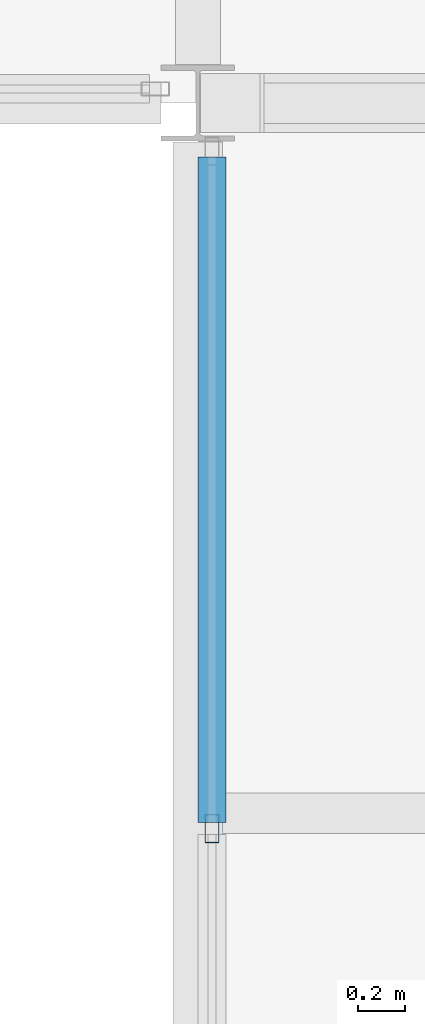
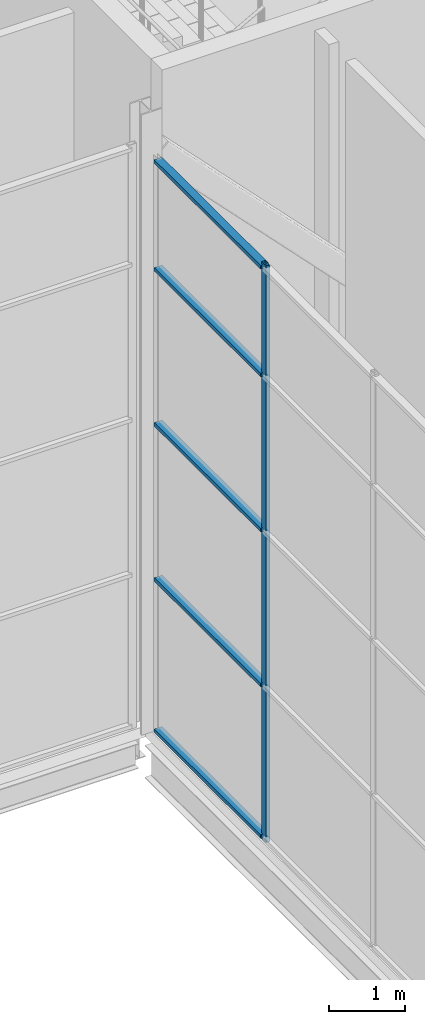
# One storey, part 58 of 111: 6 members, 1 element without a shape of its own.
"""IFC4 building model written with IfcOpenShell, lengths in metres."""

import ifcopenshell
import ifcopenshell.guid

model = None  # the IFC model being written
_history = None  # IfcOwnerHistory: only IFC2X3 demands one
_inside = {}  # id of a spatial element -> (the spatial element, [elements in it])
_under = {}  # id of a project, library or spatial element -> (it, [spatial elements below it])
_declared = {}  # id of a project -> (the project, [libraries it declares])
_typed = {}  # id of a type object -> (the type object, [elements of that type])
_made_of = {}  # id of a material, layer set ... -> (it, [elements and type objects made of it])


def new_model(schema):
    """Start an empty IFC model of exactly this schema.

    Asked for "IFC4X3", IfcOpenShell would pick the latest addendum, in which some entities
    have other attributes; the version numbers below select the first issue.
    IFC2X3 requires an IfcOwnerHistory on every rooted entity: one is made here for all.
    """
    global model, _history
    if schema == "IFC4X3":
        model = ifcopenshell.file(schema_version=(4, 3, 0, 0))
    else:
        model = ifcopenshell.file(schema=schema)
    _inside.clear()
    _under.clear()
    _declared.clear()
    _typed.clear()
    _made_of.clear()
    _history = None
    if model.schema == "IFC2X3":
        org = make("IfcOrganization", Name="unknown")
        user = make(
            "IfcPersonAndOrganization",
            ThePerson=make("IfcPerson", FamilyName="unknown"),
            TheOrganization=org,
        )
        app = make(
            "IfcApplication",
            ApplicationDeveloper=org,
            Version="unknown",
            ApplicationFullName="unknown",
            ApplicationIdentifier="unknown",
        )
        _history = make(
            "IfcOwnerHistory",
            OwningUser=user,
            OwningApplication=app,
            ChangeAction="ADDED",
            CreationDate=0,
        )
    return model


def make(cls, **values):
    """One entity of the class cls with the attributes given. An attribute that is None is left unset."""
    return model.create_entity(
        cls, **{name: value for name, value in values.items() if value is not None}
    )


def rooted(cls, **values):
    """An entity with a GlobalId (a new one), such as an element, a storey or a relation."""
    return make(cls, GlobalId=ifcopenshell.guid.new(), OwnerHistory=_history, **values)


def si_unit(unit_type, name, prefix=None):
    """IfcSIUnit, for example si_unit("LENGTHUNIT", "METRE", prefix="MILLI")."""
    return make("IfcSIUnit", UnitType=unit_type, Prefix=prefix, Name=name)


def assignment(units):
    """IfcUnitAssignment: the units of a project."""
    return None if units is None else make("IfcUnitAssignment", Units=units)


def point(xyz):
    """IfcCartesianPoint."""
    return None if xyz is None else make("IfcCartesianPoint", Coordinates=xyz)


def direction(xyz):
    """IfcDirection."""
    return None if xyz is None else make("IfcDirection", DirectionRatios=xyz)


def frame(location, z_axis=None, x_axis=None):
    """IfcAxis2Placement3D, a coordinate frame: its origin and axes. An axis left out is left unset."""
    return make(
        "IfcAxis2Placement3D",
        Location=point(location),
        Axis=direction(z_axis),
        RefDirection=direction(x_axis),
    )


def frame_2d(location, x_axis=None):
    """IfcAxis2Placement2D, a coordinate frame in the plane: its origin and x axis."""
    return make(
        "IfcAxis2Placement2D", Location=point(location), RefDirection=direction(x_axis)
    )


def origin():
    """The frame at (0, 0, 0) with its axes left unset."""
    return frame((0.0, 0.0, 0.0))


def origin_2d():
    """The frame at (0, 0) in the plane with its x axis left unset."""
    return frame_2d((0.0, 0.0))


def place(relative_to, where):
    """IfcLocalPlacement: puts the frame where relative to a parent placement (None: the world)."""
    return make(
        "IfcLocalPlacement", PlacementRelTo=relative_to, RelativePlacement=where
    )


def context(
    kind, dimensions, precision=None, world=None, true_north=None, identifier=None
):
    """IfcGeometricRepresentationContext, for example the 3D "Model" context."""
    return make(
        "IfcGeometricRepresentationContext",
        ContextIdentifier=identifier,
        ContextType=kind,
        CoordinateSpaceDimension=dimensions,
        Precision=precision,
        WorldCoordinateSystem=world,
        TrueNorth=true_north,
    )


def subcontext(parent, identifier, kind, view, scale=None):
    """IfcGeometricRepresentationSubContext, for example "Body" below "Model"."""
    return make(
        "IfcGeometricRepresentationSubContext",
        ContextIdentifier=identifier,
        ContextType=kind,
        ParentContext=parent,
        TargetScale=scale,
        TargetView=view,
    )


def project(units=None, contexts=None):
    """IfcProject with its units and contexts."""
    return rooted(
        "IfcProject",
        Name="project",
        RepresentationContexts=contexts,
        UnitsInContext=assignment(units),
    )


def spatial(cls, under=None, at=None, **own):
    """A site, building, storey or space (cls), placed at a placement, below another one or the project."""
    s = rooted(cls, ObjectPlacement=at, **own)
    if under is not None:
        _under.setdefault(under.id(), (under, []))[1].append(s)
    return s


def profile(cls, at=None, kind="AREA", **sizes):
    """A parametric profile (cls). Its sizes go by their IFC names, for example OverallWidth=200.0."""
    return make(cls, ProfileType=kind, Position=at, **sizes)


def hollow_rectangle(**sizes):
    """IfcRectangleHollowProfileDef."""
    return profile("IfcRectangleHollowProfileDef", **sizes)


def extrude(swept, where, along, depth):
    """IfcExtrudedAreaSolid: the profile swept, set in the frame where, extruded along a direction by depth."""
    return make(
        "IfcExtrudedAreaSolid",
        SweptArea=swept,
        Position=where,
        ExtrudedDirection=direction(along),
        Depth=depth,
    )


def shape(context_of_items, identifier, shape_type, items):
    """IfcShapeRepresentation: the items that make up one representation, for example the "Body"."""
    return make(
        "IfcShapeRepresentation",
        ContextOfItems=context_of_items,
        RepresentationIdentifier=identifier,
        RepresentationType=shape_type,
        Items=items,
    )


def material(Name=None, Category=None):
    """IfcMaterial."""
    return make("IfcMaterial", Name=Name, Category=Category)


def layer(
    of_material, thickness, ventilated=None, Name=None, Category=None, Priority=None
):
    """IfcMaterialLayer: one layer of a wall or slab, of a material (None: an air gap)."""
    return make(
        "IfcMaterialLayer",
        Material=of_material,
        LayerThickness=thickness,
        IsVentilated=ventilated,
        Name=Name,
        Category=Category,
        Priority=Priority,
    )


def layer_set(layers, Name=None):
    """IfcMaterialLayerSet."""
    return make("IfcMaterialLayerSet", MaterialLayers=layers, LayerSetName=Name)


def material_profile(
    of_material, cross_section, Name=None, Category=None, Priority=None
):
    """IfcMaterialProfile: a cross section and its material."""
    return make(
        "IfcMaterialProfile",
        Name=Name,
        Material=of_material,
        Profile=cross_section,
        Priority=Priority,
        Category=Category,
    )


def profile_set(profiles, Name=None, composite=None):
    """IfcMaterialProfileSet."""
    return make(
        "IfcMaterialProfileSet",
        Name=Name,
        MaterialProfiles=profiles,
        CompositeProfile=composite,
    )


def made_of(thing, what):
    """Note that an element or type object is made of a material, layer set ...; save() writes the relation."""
    if what is not None:
        _made_of.setdefault(what.id(), (what, []))[1].append(thing)
    return thing


def type_object(cls, material=None, **own):
    """A type object (cls), such as IfcWallType, which elements share."""
    return made_of(rooted(cls, **own), material)


def element(
    cls,
    number,
    at=None,
    inside=None,
    cuts=None,
    type_object=None,
    material=None,
    context=None,
    identifier="Body",
    shape_type=None,
    held_by="IfcProductDefinitionShape",
    body=None,
    shapes=None,
    **own,
):
    """One element of the class cls, such as IfcWall. Its Tag is "e" and its number.

    at: its placement. inside: the storey or other place that contains it. cuts: it is an
    opening in that element (IfcRelVoidsElement). A single representation is given by context,
    identifier, shape_type and body (its items); several are given by shapes. held_by: the class
    of the entity that holds the representations. save() writes the other relations.
    """
    e = rooted(cls, Tag="e%d" % number, ObjectPlacement=at, **own)
    if body is not None:
        shapes = [shape(context, identifier, shape_type, body)]
    if shapes is not None:
        e.Representation = make(held_by, Representations=shapes)
    if inside is not None:
        _inside.setdefault(inside.id(), (inside, []))[1].append(e)
    if cuts is not None:
        rooted(
            "IfcRelVoidsElement", RelatingBuildingElement=cuts, RelatedOpeningElement=e
        )
    if type_object is not None:
        _typed.setdefault(type_object.id(), (type_object, []))[1].append(e)
    return made_of(e, material)


def aggregate(whole, parts):
    """IfcRelAggregates: a whole, such as a stair, and the parts it consists of."""
    return rooted("IfcRelAggregates", RelatingObject=whole, RelatedObjects=parts)


def save(model, path):
    """Write the relations noted so far, then the file.

    IfcRelAggregates (storeys below a building ...), IfcRelContainedInSpatialStructure (elements
    in a storey), IfcRelDefinesByType, IfcRelAssociatesMaterial and IfcRelDeclares: one each for
    every whole, place, type object, material and project.
    """
    for whole, parts in _under.values():
        aggregate(whole, parts)
    for where, things in _inside.values():
        rooted(
            "IfcRelContainedInSpatialStructure",
            RelatedElements=things,
            RelatingStructure=where,
        )
    for kind, things in _typed.values():
        rooted("IfcRelDefinesByType", RelatedObjects=things, RelatingType=kind)
    for what, things in _made_of.values():
        rooted("IfcRelAssociatesMaterial", RelatedObjects=things, RelatingMaterial=what)
    for by, libraries in _declared.values():
        rooted("IfcRelDeclares", RelatingContext=by, RelatedDefinitions=libraries)
    model.write(path)


model = new_model("IFC4")

# Units and contexts
model_context = context("Model", 3, precision=1e-05, world=origin(), true_north=direction((0.0, 1.0)))
body_context = subcontext(model_context, "Body", "Model", "MODEL_VIEW")
ifc_project = project(units=[si_unit("LENGTHUNIT", "METRE"), si_unit("AREAUNIT", "SQUARE_METRE"), si_unit("VOLUMEUNIT", "CUBIC_METRE"), si_unit("PLANEANGLEUNIT", "RADIAN"), si_unit("MASSUNIT", "GRAM", prefix="KILO")], contexts=[model_context])

# Site, building, storey
site_placement = place(None, origin())
site = spatial("IfcSite", under=ifc_project, at=site_placement, CompositionType="ELEMENT")
building_placement = place(site_placement, origin())
building = spatial("IfcBuilding", under=site, at=building_placement, Name="Shorebreak Coast Museum", CompositionType="ELEMENT")
storey_placement = place(building_placement, frame((0.0, 0.0, 16.0)))
storey = spatial("IfcBuildingStorey", under=building, at=storey_placement, Name="L03", CompositionType="ELEMENT", Elevation=16.0)

# Curtain wall, members
ifc_material_1 = material(Name="Aluminium", Category="aluminium")
ifc_layer = layer(ifc_material_1, 0.1201171875)
ifc_layer_set = layer_set([ifc_layer], Name="Aluminium")
curtain_wall_type = type_object("IfcCurtainWallType", Name="Atrium fire screen", PredefinedType="NOTDEFINED", material=ifc_layer_set)
curtain_wall_placement = place(storey_placement, origin())
curtain_wall = element("IfcCurtainWall", 1, at=curtain_wall_placement, inside=storey, type_object=curtain_wall_type, Name="Atrium screen L03 E 48", PredefinedType="NOTDEFINED")
ifc_material_2 = material(Name="Aluminium", Category="aluminium")
ifc_material_profile_1 = material_profile(ifc_material_2, hollow_rectangle(XDim=0.06005859375, YDim=0.1201171875, WallThickness=0.00341796875, at=origin_2d()), Name="AL 120x60 RHS")
ifc_profile_set_1 = profile_set([ifc_material_profile_1], Name="Aluminium")
member_type_1 = type_object("IfcMemberType", Name="Screen mullion 50 x 120", PredefinedType="MULLION", material=ifc_profile_set_1)
member_1_placement = place(storey_placement, frame((108.06005859375, 77.9345703125, 0.0), z_axis=(0.0, 0.0, 1.0), x_axis=(-1.0, 0.0, 0.0)))
member_1 = element("IfcMember", 2, at=member_1_placement, type_object=member_type_1, Name="CW4 mullion 3", PredefinedType="MULLION", context=body_context, shape_type="SweptSolid", body=[
    extrude(hollow_rectangle(XDim=0.06005859375, YDim=0.1201171875, WallThickness=0.00341796875, at=origin_2d()), origin(), (0.0, 0.0, 1.0), 9.296875),
])
ifc_material_3 = material(Name="Aluminium", Category="aluminium")
ifc_material_profile_2 = material_profile(ifc_material_3, hollow_rectangle(XDim=0.1201171875, YDim=0.06005859375, WallThickness=0.00341796875, at=origin_2d()), Name="AL 60x120 RHS")
ifc_profile_set_2 = profile_set([ifc_material_profile_2], Name="Aluminium")
member_type_2 = type_object("IfcMemberType", Name="Screen transom 120 x 50", PredefinedType="USERDEFINED", material=ifc_profile_set_2)
member_2_placement = place(storey_placement, frame((108.06005859375, 77.95947265625, 0.06005859375), z_axis=(0.0, 1.0, 0.0), x_axis=(-1.0, 0.0, 0.0)))
member_2 = element("IfcMember", 3, at=member_2_placement, type_object=member_type_2, Name="CW4 transom 3.1", ObjectType="TRANSOM", PredefinedType="USERDEFINED", context=body_context, shape_type="SweptSolid", body=[
    extrude(hollow_rectangle(XDim=0.1201171875, YDim=0.06005859375, WallThickness=0.00341796875, at=origin_2d()), origin(), (0.0, 0.0, 1.0), 2.812255859375),
])
member_3_placement = place(storey_placement, frame((108.06005859375, 77.95947265625, 2.5), z_axis=(0.0, 1.0, 0.0), x_axis=(-1.0, 0.0, 0.0)))
member_3 = element("IfcMember", 4, at=member_3_placement, type_object=member_type_2, Name="CW4 transom 3.2", ObjectType="TRANSOM", PredefinedType="USERDEFINED", context=body_context, shape_type="SweptSolid", body=[
    extrude(hollow_rectangle(XDim=0.1201171875, YDim=0.06005859375, WallThickness=0.00341796875, at=origin_2d()), origin(), (0.0, 0.0, 1.0), 2.812255859375),
])
member_4_placement = place(storey_placement, frame((108.06005859375, 77.95947265625, 5.0), z_axis=(0.0, 1.0, 0.0), x_axis=(-1.0, 0.0, 0.0)))
member_4 = element("IfcMember", 5, at=member_4_placement, type_object=member_type_2, Name="CW4 transom 3.3", ObjectType="TRANSOM", PredefinedType="USERDEFINED", context=body_context, shape_type="SweptSolid", body=[
    extrude(hollow_rectangle(XDim=0.1201171875, YDim=0.06005859375, WallThickness=0.00341796875, at=origin_2d()), origin(), (0.0, 0.0, 1.0), 2.812255859375),
])
member_5_placement = place(storey_placement, frame((108.06005859375, 77.95947265625, 7.5), z_axis=(0.0, 1.0, 0.0), x_axis=(-1.0, 0.0, 0.0)))
member_5 = element("IfcMember", 6, at=member_5_placement, type_object=member_type_2, Name="CW4 transom 3.4", ObjectType="TRANSOM", PredefinedType="USERDEFINED", context=body_context, shape_type="SweptSolid", body=[
    extrude(hollow_rectangle(XDim=0.1201171875, YDim=0.06005859375, WallThickness=0.00341796875, at=origin_2d()), origin(), (0.0, 0.0, 1.0), 2.812255859375),
])
member_6_placement = place(storey_placement, frame((108.06005859375, 77.95947265625, 9.23681640625), z_axis=(0.0, 1.0, 0.0), x_axis=(-1.0, 0.0, 0.0)))
member_6 = element("IfcMember", 7, at=member_6_placement, type_object=member_type_2, Name="CW4 transom 3.5", ObjectType="TRANSOM", PredefinedType="USERDEFINED", context=body_context, shape_type="SweptSolid", body=[
    extrude(hollow_rectangle(XDim=0.1201171875, YDim=0.06005859375, WallThickness=0.00341796875, at=origin_2d()), origin(), (0.0, 0.0, 1.0), 2.812255859375),
])
aggregate(curtain_wall, [member_1, member_2, member_3, member_4, member_5, member_6])

save(model, "model.ifc")
